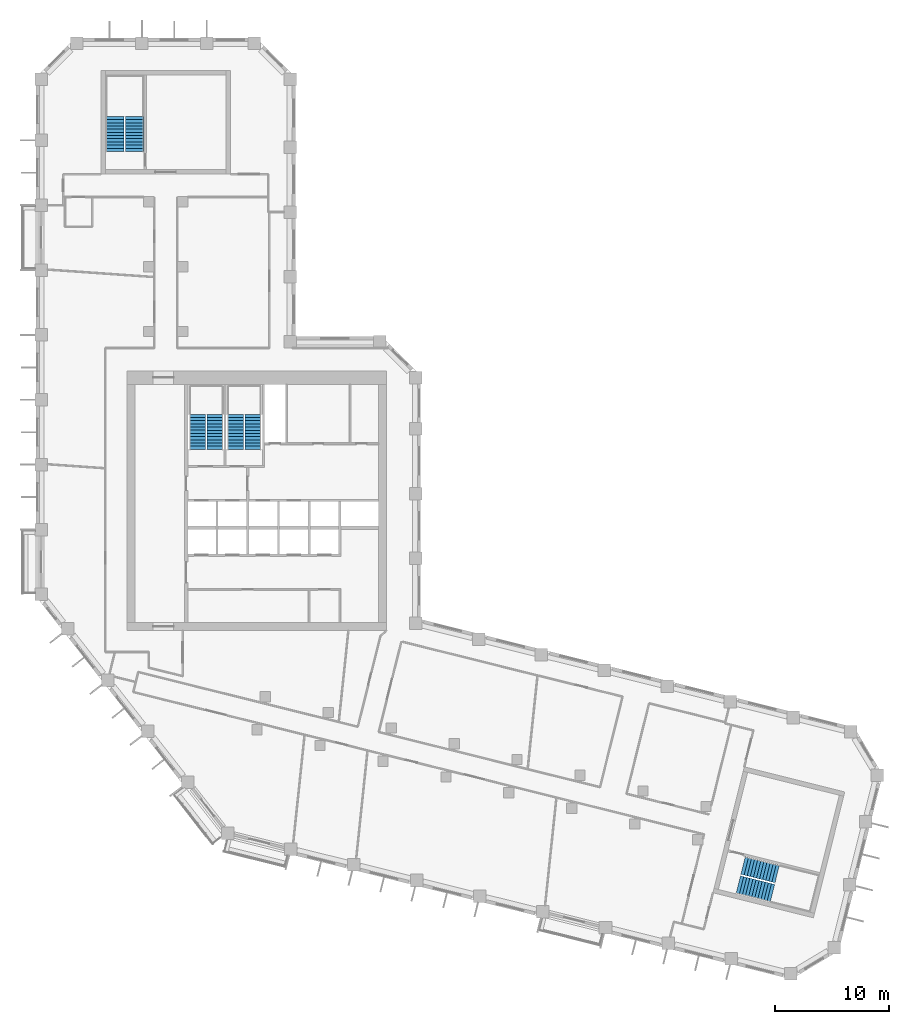
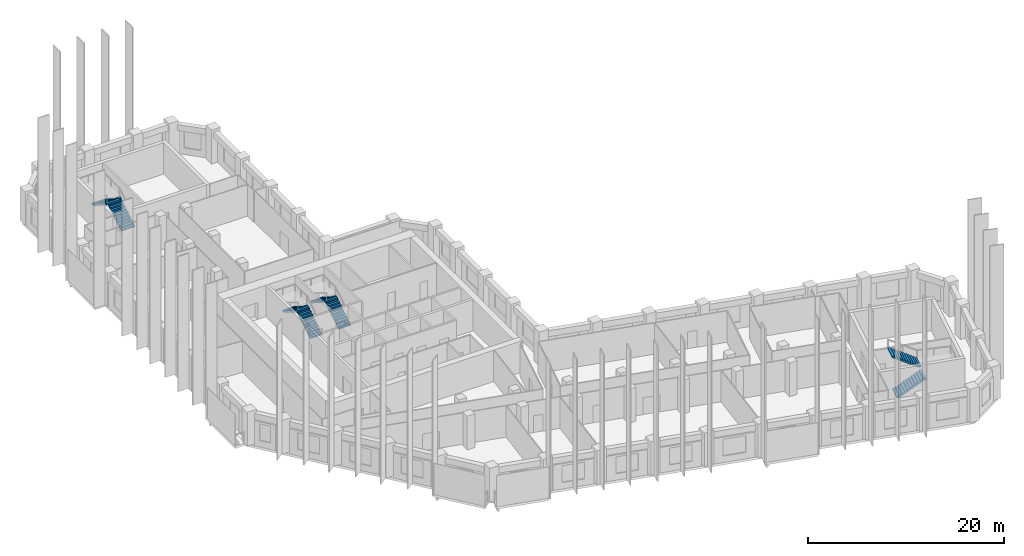
# One storey, part 9 of 10: 8 stair flights, 4 elements without a shape of their own.
"""IFC4 building model written with IfcOpenShell, lengths in metres."""

from ifc_helpers import new_model, si_unit, direction, frame, origin, place, context, subcontext, project, spatial, polyline, outline, extrude, material, type_object, element, aggregate, save


model = new_model("IFC4")

# Units and contexts
model_context = context("Model", 3, precision=1e-05, world=origin(), true_north=direction((0.0, 1.0)))
body_context = subcontext(model_context, "Body", "Model", "MODEL_VIEW")
ifc_project = project(units=[si_unit("LENGTHUNIT", "METRE"), si_unit("AREAUNIT", "SQUARE_METRE"), si_unit("VOLUMEUNIT", "CUBIC_METRE"), si_unit("PLANEANGLEUNIT", "RADIAN"), si_unit("MASSUNIT", "GRAM", prefix="KILO")], contexts=[model_context])

# Site, building, storey
site_placement = place(None, origin())
site = spatial("IfcSite", under=ifc_project, at=site_placement, CompositionType="ELEMENT")
building_placement = place(site_placement, origin())
building = spatial("IfcBuilding", under=site, at=building_placement, Name="Meshkara Civic Tower", CompositionType="ELEMENT")
storey_placement = place(building_placement, frame((0.0, 0.0, 225.60009765625)))
storey = spatial("IfcBuildingStorey", under=building, at=storey_placement, Name="L51", CompositionType="ELEMENT", Elevation=225.60009765625)

# Stair, stair flights
ifc_material_1 = material(Name="Precast concrete C40/50", Category="concrete")
stair_type_1 = type_object("IfcStairType", Name="Exit stair half-turn 24 risers 1600 precast", PredefinedType="HALF_TURN_STAIR", material=ifc_material_1)
stair_1_placement = place(storey_placement, origin())
stair_1 = element("IfcStair", 1, at=stair_1_placement, inside=storey, type_object=stair_type_1, Name="L51 exit stair A from L50", PredefinedType="HALF_TURN_STAIR")
ifc_material_2 = material(Name="Precast concrete C40/50", Category="concrete")
stair_flight_type_1 = type_object("IfcStairFlightType", Name="Exit stair flight 12 risers 1600 precast", PredefinedType="STRAIGHT", material=ifc_material_2)
stair_flight_1_placement = place(storey_placement, frame((8.675048828125, 56.169921875, 0.0), z_axis=(0.0, 0.0, 1.0), x_axis=(0.0, 1.0, 0.0)))
stair_flight_1 = element("IfcStairFlight", 2, at=stair_flight_1_placement, type_object=stair_flight_type_1, Name="ESA4 flight 1", NumberOfRisers=12, NumberOfTreads=11, PredefinedType="STRAIGHT", RiserHeight=0.175, TreadLength=0.28, context=body_context, shape_type="SweptSolid", body=[
    extrude(outline(polyline([(0.0, 0.0), (0.0, 0.175048828125), (0.280029296875, 0.175048828125), (0.280029296875, 0.35009765625), (0.56005859375, 0.35009765625), (0.56005859375, 0.52490234375), (0.840087890625, 0.52490234375), (0.840087890625, 0.699951171875), (1.1201171875, 0.699951171875), (1.1201171875, 0.875), (1.39990234375, 0.875), (1.39990234375, 1.050048828125), (1.679931640625, 1.050048828125), (1.679931640625, 1.22509765625), (1.9599609375, 1.22509765625), (1.9599609375, 1.39990234375), (2.239990234375, 1.39990234375), (2.239990234375, 1.574951171875), (2.52001953125, 1.574951171875), (2.52001953125, 1.75), (2.800048828125, 1.75), (2.800048828125, 1.925048828125), (3.080078125, 1.925048828125), (3.080078125, 2.10009765625), (3.080078125, 1.748291015625), (0.28271484375, 0.0), (0.0, 0.0)])), frame((0.0, 0.800048828125, 0.0), z_axis=(0.0, -1.0, 0.0), x_axis=(1.0, 0.0, 0.0)), (0.0, 0.0, 1.0), 1.60009765625),
])
stair_flight_2_placement = place(storey_placement, frame((6.925048828125, 59.25, 2.099853515625), z_axis=(0.0, 0.0, 1.0), x_axis=(0.0, -1.0, 0.0)))
stair_flight_2 = element("IfcStairFlight", 3, at=stair_flight_2_placement, type_object=stair_flight_type_1, Name="ESA4 flight 2", NumberOfRisers=12, NumberOfTreads=11, PredefinedType="STRAIGHT", RiserHeight=0.175, TreadLength=0.28, context=body_context, shape_type="SweptSolid", body=[
    extrude(outline(polyline([(0.0, 0.0), (0.0, 0.175048828125), (0.280029296875, 0.175048828125), (0.280029296875, 0.35009765625), (0.56005859375, 0.35009765625), (0.56005859375, 0.52490234375), (0.840087890625, 0.52490234375), (0.840087890625, 0.699951171875), (1.1201171875, 0.699951171875), (1.1201171875, 0.875), (1.39990234375, 0.875), (1.39990234375, 1.050048828125), (1.679931640625, 1.050048828125), (1.679931640625, 1.22509765625), (1.9599609375, 1.22509765625), (1.9599609375, 1.39990234375), (2.239990234375, 1.39990234375), (2.239990234375, 1.574951171875), (2.52001953125, 1.574951171875), (2.52001953125, 1.75), (2.800048828125, 1.75), (2.800048828125, 1.925048828125), (3.080078125, 1.925048828125), (3.080078125, 2.10009765625), (3.080078125, 1.748291015625), (0.28271484375, 0.0), (0.0, 0.0)])), frame((0.0, 0.800048828125, 0.0), z_axis=(0.0, -1.0, 0.0), x_axis=(1.0, 0.0, 0.0)), (0.0, 0.0, 1.0), 1.60009765625),
])
aggregate(stair_1, [stair_flight_1, stair_flight_2])

stair_2_placement = place(storey_placement, origin())
stair_2 = element("IfcStair", 4, at=stair_2_placement, inside=storey, type_object=stair_type_1, Name="L51 exit stair B from L50", PredefinedType="HALF_TURN_STAIR")
stair_flight_3_placement = place(storey_placement, frame((61.70751953125, -8.248291015625, 0.0), z_axis=(0.0, 0.0, 1.0), x_axis=(0.970260066579, -0.242064873955, 0.0)))
stair_flight_3 = element("IfcStairFlight", 5, at=stair_flight_3_placement, type_object=stair_flight_type_1, Name="ESB4 flight 1", NumberOfRisers=12, NumberOfTreads=11, PredefinedType="STRAIGHT", RiserHeight=0.175, TreadLength=0.28, context=body_context, shape_type="SweptSolid", body=[
    extrude(outline(polyline([(0.0, 0.0), (0.0, 0.175048828125), (0.280029296875, 0.175048828125), (0.280029296875, 0.35009765625), (0.56005859375, 0.35009765625), (0.56005859375, 0.52490234375), (0.840087890625, 0.52490234375), (0.840087890625, 0.699951171875), (1.1201171875, 0.699951171875), (1.1201171875, 0.875), (1.39990234375, 0.875), (1.39990234375, 1.050048828125), (1.679931640625, 1.050048828125), (1.679931640625, 1.22509765625), (1.9599609375, 1.22509765625), (1.9599609375, 1.39990234375), (2.239990234375, 1.39990234375), (2.239990234375, 1.574951171875), (2.52001953125, 1.574951171875), (2.52001953125, 1.75), (2.800048828125, 1.75), (2.800048828125, 1.925048828125), (3.080078125, 1.925048828125), (3.080078125, 2.10009765625), (3.080078125, 1.748291015625), (0.28271484375, 0.0), (0.0, 0.0)])), frame((0.0, 0.800048828125, 0.0), z_axis=(0.0, -1.0, 0.0), x_axis=(1.0, 0.0, 0.0)), (0.0, 0.0, 1.0), 1.60009765625),
])
stair_flight_4_placement = place(storey_placement, frame((65.11962890625, -7.2958984375, 2.099853515625), z_axis=(0.0, 0.0, 1.0), x_axis=(-0.970260066579, 0.242064873955, 0.0)))
stair_flight_4 = element("IfcStairFlight", 6, at=stair_flight_4_placement, type_object=stair_flight_type_1, Name="ESB4 flight 2", NumberOfRisers=12, NumberOfTreads=11, PredefinedType="STRAIGHT", RiserHeight=0.175, TreadLength=0.28, context=body_context, shape_type="SweptSolid", body=[
    extrude(outline(polyline([(0.0, 0.0), (0.0, 0.175048828125), (0.280029296875, 0.175048828125), (0.280029296875, 0.35009765625), (0.56005859375, 0.35009765625), (0.56005859375, 0.52490234375), (0.840087890625, 0.52490234375), (0.840087890625, 0.699951171875), (1.1201171875, 0.699951171875), (1.1201171875, 0.875), (1.39990234375, 0.875), (1.39990234375, 1.050048828125), (1.679931640625, 1.050048828125), (1.679931640625, 1.22509765625), (1.9599609375, 1.22509765625), (1.9599609375, 1.39990234375), (2.239990234375, 1.39990234375), (2.239990234375, 1.574951171875), (2.52001953125, 1.574951171875), (2.52001953125, 1.75), (2.800048828125, 1.75), (2.800048828125, 1.925048828125), (3.080078125, 1.925048828125), (3.080078125, 2.10009765625), (3.080078125, 1.748291015625), (0.28271484375, 0.0), (0.0, 0.0)])), frame((0.0, 0.800048828125, 0.0), z_axis=(0.0, -1.0, 0.0), x_axis=(1.0, 0.0, 0.0)), (0.0, 0.0, 1.0), 1.60009765625),
])
aggregate(stair_2, [stair_flight_3, stair_flight_4])

ifc_material_3 = material(Name="Precast concrete C40/50", Category="concrete")
stair_type_2 = type_object("IfcStairType", Name="Exit stair half-turn 24 risers precast", PredefinedType="HALF_TURN_STAIR", material=ifc_material_3)
stair_3_placement = place(storey_placement, origin())
stair_3 = element("IfcStair", 7, at=stair_3_placement, inside=storey, type_object=stair_type_2, Name="L51 exit stair 1", PredefinedType="HALF_TURN_STAIR")
ifc_material_4 = material(Name="Precast concrete C40/50", Category="concrete")
stair_flight_type_2 = type_object("IfcStairFlightType", Name="Exit stair flight 12 risers precast", PredefinedType="STRAIGHT", material=ifc_material_4)
stair_flight_5_placement = place(storey_placement, frame((15.72509765625, 30.0, 0.0), z_axis=(0.0, 0.0, 1.0), x_axis=(0.0, 1.0, 0.0)))
stair_flight_5 = element("IfcStairFlight", 8, at=stair_flight_5_placement, type_object=stair_flight_type_2, Name="ST1 flight 1", NumberOfRisers=12, NumberOfTreads=11, PredefinedType="STRAIGHT", RiserHeight=0.175, TreadLength=0.28, context=body_context, shape_type="SweptSolid", body=[
    extrude(outline(polyline([(0.0, 0.0), (0.0, 0.175048828125), (0.280029296875, 0.175048828125), (0.280029296875, 0.35009765625), (0.56005859375, 0.35009765625), (0.56005859375, 0.52490234375), (0.840087890625, 0.52490234375), (0.840087890625, 0.699951171875), (1.1201171875, 0.699951171875), (1.1201171875, 0.875), (1.39990234375, 0.875), (1.39990234375, 1.050048828125), (1.679931640625, 1.050048828125), (1.679931640625, 1.22509765625), (1.9599609375, 1.22509765625), (1.9599609375, 1.39990234375), (2.239990234375, 1.39990234375), (2.239990234375, 1.574951171875), (2.52001953125, 1.574951171875), (2.52001953125, 1.75), (2.800048828125, 1.75), (2.800048828125, 1.925048828125), (3.080078125, 1.925048828125), (3.080078125, 2.10009765625), (3.080078125, 1.748291015625), (0.28271484375, 0.0), (0.0, 0.0)])), frame((0.0, 0.699951171875, 0.0), z_axis=(0.0, -1.0, 0.0), x_axis=(1.0, 0.0, 0.0)), (0.0, 0.0, 1.0), 1.39990234375),
])
stair_flight_6_placement = place(storey_placement, frame((14.175048828125, 33.080078125, 2.099853515625), z_axis=(0.0, 0.0, 1.0), x_axis=(0.0, -1.0, 0.0)))
stair_flight_6 = element("IfcStairFlight", 9, at=stair_flight_6_placement, type_object=stair_flight_type_2, Name="ST1 flight 2", NumberOfRisers=12, NumberOfTreads=11, PredefinedType="STRAIGHT", RiserHeight=0.175, TreadLength=0.28, context=body_context, shape_type="SweptSolid", body=[
    extrude(outline(polyline([(0.0, 0.0), (0.0, 0.175048828125), (0.280029296875, 0.175048828125), (0.280029296875, 0.35009765625), (0.56005859375, 0.35009765625), (0.56005859375, 0.52490234375), (0.840087890625, 0.52490234375), (0.840087890625, 0.699951171875), (1.1201171875, 0.699951171875), (1.1201171875, 0.875), (1.39990234375, 0.875), (1.39990234375, 1.050048828125), (1.679931640625, 1.050048828125), (1.679931640625, 1.22509765625), (1.9599609375, 1.22509765625), (1.9599609375, 1.39990234375), (2.239990234375, 1.39990234375), (2.239990234375, 1.574951171875), (2.52001953125, 1.574951171875), (2.52001953125, 1.75), (2.800048828125, 1.75), (2.800048828125, 1.925048828125), (3.080078125, 1.925048828125), (3.080078125, 2.10009765625), (3.080078125, 1.748291015625), (0.28271484375, 0.0), (0.0, 0.0)])), frame((0.0, 0.699951171875, 0.0), z_axis=(0.0, -1.0, 0.0), x_axis=(1.0, 0.0, 0.0)), (0.0, 0.0, 1.0), 1.39990234375),
])
aggregate(stair_3, [stair_flight_5, stair_flight_6])

stair_4_placement = place(storey_placement, origin())
stair_4 = element("IfcStair", 10, at=stair_4_placement, inside=storey, type_object=stair_type_2, Name="L51 exit stair 2", PredefinedType="HALF_TURN_STAIR")
stair_flight_7_placement = place(storey_placement, frame((19.074951171875, 30.0, 0.0), z_axis=(0.0, 0.0, 1.0), x_axis=(0.0, 1.0, 0.0)))
stair_flight_7 = element("IfcStairFlight", 11, at=stair_flight_7_placement, type_object=stair_flight_type_2, Name="ST2 flight 1", NumberOfRisers=12, NumberOfTreads=11, PredefinedType="STRAIGHT", RiserHeight=0.175, TreadLength=0.28, context=body_context, shape_type="SweptSolid", body=[
    extrude(outline(polyline([(0.0, 0.0), (0.0, 0.175048828125), (0.280029296875, 0.175048828125), (0.280029296875, 0.35009765625), (0.56005859375, 0.35009765625), (0.56005859375, 0.52490234375), (0.840087890625, 0.52490234375), (0.840087890625, 0.699951171875), (1.1201171875, 0.699951171875), (1.1201171875, 0.875), (1.39990234375, 0.875), (1.39990234375, 1.050048828125), (1.679931640625, 1.050048828125), (1.679931640625, 1.22509765625), (1.9599609375, 1.22509765625), (1.9599609375, 1.39990234375), (2.239990234375, 1.39990234375), (2.239990234375, 1.574951171875), (2.52001953125, 1.574951171875), (2.52001953125, 1.75), (2.800048828125, 1.75), (2.800048828125, 1.925048828125), (3.080078125, 1.925048828125), (3.080078125, 2.10009765625), (3.080078125, 1.748291015625), (0.28271484375, 0.0), (0.0, 0.0)])), frame((0.0, 0.699951171875, 0.0), z_axis=(0.0, -1.0, 0.0), x_axis=(1.0, 0.0, 0.0)), (0.0, 0.0, 1.0), 1.39990234375),
])
stair_flight_8_placement = place(storey_placement, frame((17.52490234375, 33.080078125, 2.099853515625), z_axis=(0.0, 0.0, 1.0), x_axis=(0.0, -1.0, 0.0)))
stair_flight_8 = element("IfcStairFlight", 12, at=stair_flight_8_placement, type_object=stair_flight_type_2, Name="ST2 flight 2", NumberOfRisers=12, NumberOfTreads=11, PredefinedType="STRAIGHT", RiserHeight=0.175, TreadLength=0.28, context=body_context, shape_type="SweptSolid", body=[
    extrude(outline(polyline([(0.0, 0.0), (0.0, 0.175048828125), (0.280029296875, 0.175048828125), (0.280029296875, 0.35009765625), (0.56005859375, 0.35009765625), (0.56005859375, 0.52490234375), (0.840087890625, 0.52490234375), (0.840087890625, 0.699951171875), (1.1201171875, 0.699951171875), (1.1201171875, 0.875), (1.39990234375, 0.875), (1.39990234375, 1.050048828125), (1.679931640625, 1.050048828125), (1.679931640625, 1.22509765625), (1.9599609375, 1.22509765625), (1.9599609375, 1.39990234375), (2.239990234375, 1.39990234375), (2.239990234375, 1.574951171875), (2.52001953125, 1.574951171875), (2.52001953125, 1.75), (2.800048828125, 1.75), (2.800048828125, 1.925048828125), (3.080078125, 1.925048828125), (3.080078125, 2.10009765625), (3.080078125, 1.748291015625), (0.28271484375, 0.0), (0.0, 0.0)])), frame((0.0, 0.699951171875, 0.0), z_axis=(0.0, -1.0, 0.0), x_axis=(1.0, 0.0, 0.0)), (0.0, 0.0, 1.0), 1.39990234375),
])
aggregate(stair_4, [stair_flight_7, stair_flight_8])

save(model, "model.ifc")
